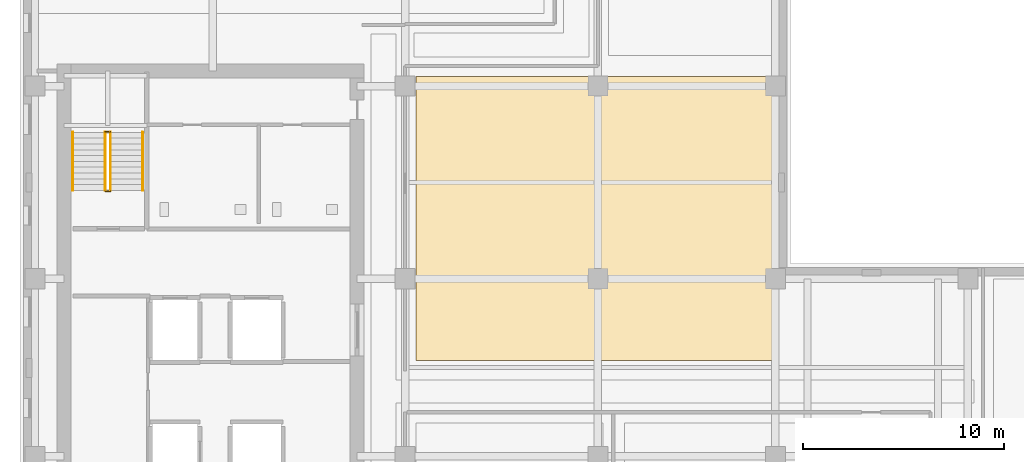
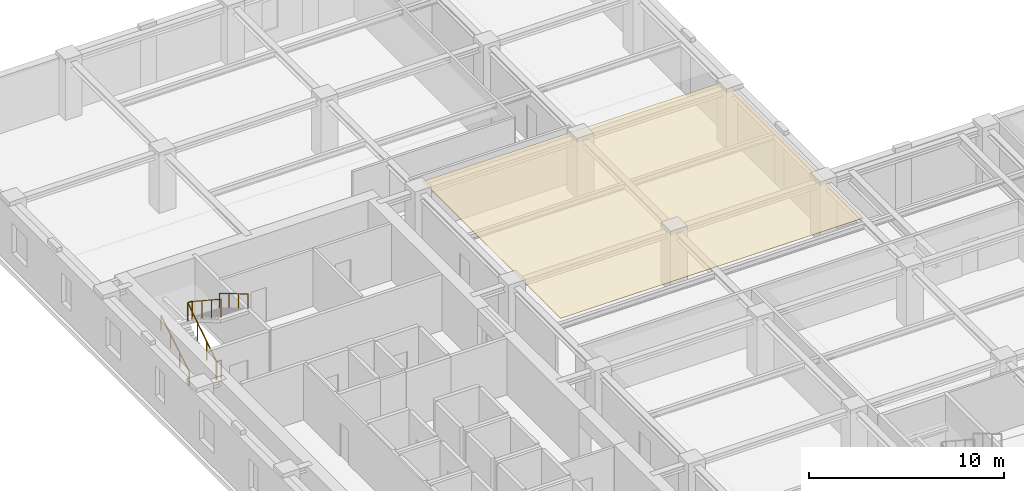
# One storey, part 10 of 12: 6 railings, 1 covering.
"""IFC4 building model written with IfcOpenShell, lengths in metres."""

from ifc_helpers import new_model, si_unit, direction, frame, origin, origin_2d, place, context, subcontext, project, spatial, polyline, circle, outline, extrude, material, layer, layer_set, type_object, element, save


model = new_model("IFC4")

# Units and contexts
model_context = context("Model", 3, precision=1e-05, world=origin(), true_north=direction((0.0, 1.0)))
body_context = subcontext(model_context, "Body", "Model", "MODEL_VIEW")
ifc_project = project(units=[si_unit("LENGTHUNIT", "METRE"), si_unit("AREAUNIT", "SQUARE_METRE"), si_unit("VOLUMEUNIT", "CUBIC_METRE"), si_unit("PLANEANGLEUNIT", "RADIAN"), si_unit("MASSUNIT", "GRAM", prefix="KILO")], contexts=[model_context])

# Site, building, storey
site_placement = place(None, origin())
site = spatial("IfcSite", under=ifc_project, at=site_placement, CompositionType="ELEMENT")
building_placement = place(site_placement, origin())
building = spatial("IfcBuilding", under=site, at=building_placement, Name="Norrvale University Quadrangle", CompositionType="ELEMENT")
storey_placement = place(building_placement, frame((0.0, 0.0, 109.0)))
storey = spatial("IfcBuildingStorey", under=building, at=storey_placement, Name="L27", CompositionType="ELEMENT", Elevation=109.0)

# Covering
ifc_material_1 = material(Name="Perforated Acoustic Mineral Ceiling")
ifc_layer = layer(ifc_material_1, 0.02490234375, Name="Perforated Acoustic Mineral Ceiling")
ifc_layer_set = layer_set([ifc_layer], Name="Perforated Acoustic Mineral Ceiling")
covering_type = type_object("IfcCoveringType", Name="Covering Acoustic Ceiling 25", PredefinedType="CEILING", material=ifc_layer_set)
covering_placement = place(storey_placement, frame((0.0, 0.0, 3.514892578125)))
element("IfcCovering", 1, at=covering_placement, inside=storey, type_object=covering_type, Name="Acoustic Ceiling RM-L27-MNE01", PredefinedType="CEILING", context=body_context, shape_type="SweptSolid", body=[
    extrude(outline(polyline([(19.72998046875, 47.719970703125), (37.64990234375, 47.719970703125), (37.64990234375, 33.580078125), (19.72998046875, 33.580078125), (19.72998046875, 47.719970703125)])), origin(), (0.0, 0.0, 1.0), 0.025146484375),
])

# Railings
ifc_material_2 = material(Name="Steel 350W Painted Balustrade", Category="steel")
railing_type_1 = type_object("IfcRailingType", Name="Railing Stair Guard 1100", PredefinedType="GUARDRAIL", material=ifc_material_2)
for number, where, name in (
    (2, (4.239990234375, 42.02001953125, 0.0), "Stair Floor Well Guard ST-02 L27"),
    (3, (4.239990234375, 44.97998046875, 1.89990234375), "Stair Mid-Landing Slot Guard ST-02 L27"),
):
    element("IfcRailing", number, at=place(storey_placement, frame(where)), inside=storey, type_object=railing_type_1, Name=name, PredefinedType="GUARDRAIL", context=body_context, shape_type="SweptSolid", body=[
        extrude(circle(Radius=0.02392578125, at=origin_2d()), frame((0.0, 0.0, 1.1259765625), z_axis=(1.0, 0.0, 0.0), x_axis=(0.0, 1.0, 0.0)), (0.0, 0.0, 1.0), 0.27001953125),
        extrude(circle(Radius=0.02099609375, at=origin_2d()), origin(), (0.0, 0.0, 1.0), 1.101806640625),
        extrude(circle(Radius=0.02099609375, at=origin_2d()), frame((0.27001953125, 0.0, 0.0)), (0.0, 0.0, 1.0), 1.101806640625),
    ])
railing_1_placement = place(storey_placement, frame((4.239990234375, 42.050048828125, 0.0)))
element("IfcRailing", 4, at=railing_1_placement, inside=storey, type_object=railing_type_1, Name="Stair Lower Flight Inner Guard ST-02 L27", PredefinedType="GUARDRAIL", context=body_context, shape_type="SweptSolid", body=[
    extrude(circle(Radius=0.02392578125, at=origin_2d()), frame((0.0, 0.0, 1.1259765625), z_axis=(0.0, 0.836465582154, 0.548019461216), x_axis=(-1.0, 0.0, 0.0)), (0.0, 0.0, 1.0), 3.466796875),
    extrude(circle(Radius=0.02099609375, at=origin_2d()), origin(), (0.0, 0.0, 1.0), 1.101806640625),
    extrude(circle(Radius=0.02099609375, at=origin_2d()), frame((0.0, 0.966552734375, 0.63330078125)), (0.0, 0.0, 1.0), 1.101806640625),
    extrude(circle(Radius=0.02099609375, at=origin_2d()), frame((0.0, 1.933349609375, 1.2666015625)), (0.0, 0.0, 1.0), 1.101806640625),
    extrude(circle(Radius=0.02099609375, at=origin_2d()), frame((0.0, 2.89990234375, 1.89990234375)), (0.0, 0.0, 1.0), 1.101806640625),
])
railing_2_placement = place(storey_placement, frame((4.510009765625, 44.949951171875, 1.89990234375)))
element("IfcRailing", 5, at=railing_2_placement, inside=storey, type_object=railing_type_1, Name="Stair Upper Flight Inner Guard ST-02 L27", PredefinedType="GUARDRAIL", context=body_context, shape_type="SweptSolid", body=[
    extrude(circle(Radius=0.02392578125, at=origin_2d()), frame((0.0, 0.0, 1.1259765625), z_axis=(0.0, -0.836433300813, 0.548068730445), x_axis=(1.0, 0.0, 0.0)), (0.0, 0.0, 1.0), 3.467041015625),
    extrude(circle(Radius=0.02099609375, at=origin_2d()), origin(), (0.0, 0.0, 1.0), 1.101806640625),
    extrude(circle(Radius=0.02099609375, at=origin_2d()), frame((0.0, -0.966552734375, 0.63330078125)), (0.0, 0.0, 1.0), 1.101806640625),
    extrude(circle(Radius=0.02099609375, at=origin_2d()), frame((0.0, -1.933349609375, 1.266845703125)), (0.0, 0.0, 1.0), 1.101806640625),
    extrude(circle(Radius=0.02099609375, at=origin_2d()), frame((0.0, -2.89990234375, 1.900146484375)), (0.0, 0.0, 1.0), 1.101806640625),
])
ifc_material_3 = material(Name="Stainless Steel 316L Handrail", Category="steel")
railing_type_2 = type_object("IfcRailingType", Name="Railing Stair Handrail 920", PredefinedType="HANDRAIL", material=ifc_material_3)
railing_3_placement = place(storey_placement, frame((2.639892578125, 42.050048828125, 0.172607421875)))
element("IfcRailing", 6, at=railing_3_placement, inside=storey, type_object=railing_type_2, Name="Stair Lower Flight Handrail ST-02 L27", PredefinedType="HANDRAIL", context=body_context, shape_type="SweptSolid", body=[
    extrude(circle(Radius=0.02392578125, at=origin_2d()), frame((0.0, 0.0, 0.89599609375), z_axis=(0.0, 0.859141464434, 0.511738159696), x_axis=(-1.0, 0.0, 0.0)), (0.0, 0.0, 1.0), 3.375244140625),
    extrude(circle(Radius=0.02099609375, at=origin_2d()), origin(), (0.0, 0.0, 1.0), 0.871826171875),
    extrude(circle(Radius=0.02099609375, at=origin_2d()), frame((0.0, 0.966552734375, 0.57568359375)), (0.0, 0.0, 1.0), 0.871826171875),
    extrude(circle(Radius=0.02099609375, at=origin_2d()), frame((0.0, 1.933349609375, 1.151611328125)), (0.0, 0.0, 1.0), 0.871826171875),
    extrude(circle(Radius=0.02099609375, at=origin_2d()), frame((0.0, 2.89990234375, 1.727294921875)), (0.0, 0.0, 1.0), 0.871826171875),
])
railing_4_placement = place(storey_placement, frame((6.110107421875, 44.949951171875, 2.07275390625)))
element("IfcRailing", 7, at=railing_4_placement, inside=storey, type_object=railing_type_2, Name="Stair Upper Flight Handrail ST-02 L27", PredefinedType="HANDRAIL", context=body_context, shape_type="SweptSolid", body=[
    extrude(circle(Radius=0.02392578125, at=origin_2d()), frame((0.0, 0.0, 0.89599609375), z_axis=(0.0, -0.859141464434, 0.511738159696), x_axis=(1.0, 0.0, 0.0)), (0.0, 0.0, 1.0), 3.375244140625),
    extrude(circle(Radius=0.02099609375, at=origin_2d()), origin(), (0.0, 0.0, 1.0), 0.871826171875),
    extrude(circle(Radius=0.02099609375, at=origin_2d()), frame((0.0, -0.966552734375, 0.57568359375)), (0.0, 0.0, 1.0), 0.871826171875),
    extrude(circle(Radius=0.02099609375, at=origin_2d()), frame((0.0, -1.933349609375, 1.151611328125)), (0.0, 0.0, 1.0), 0.871826171875),
    extrude(circle(Radius=0.02099609375, at=origin_2d()), frame((0.0, -2.89990234375, 1.727294921875)), (0.0, 0.0, 1.0), 0.871826171875),
])

save(model, "model.ifc")
